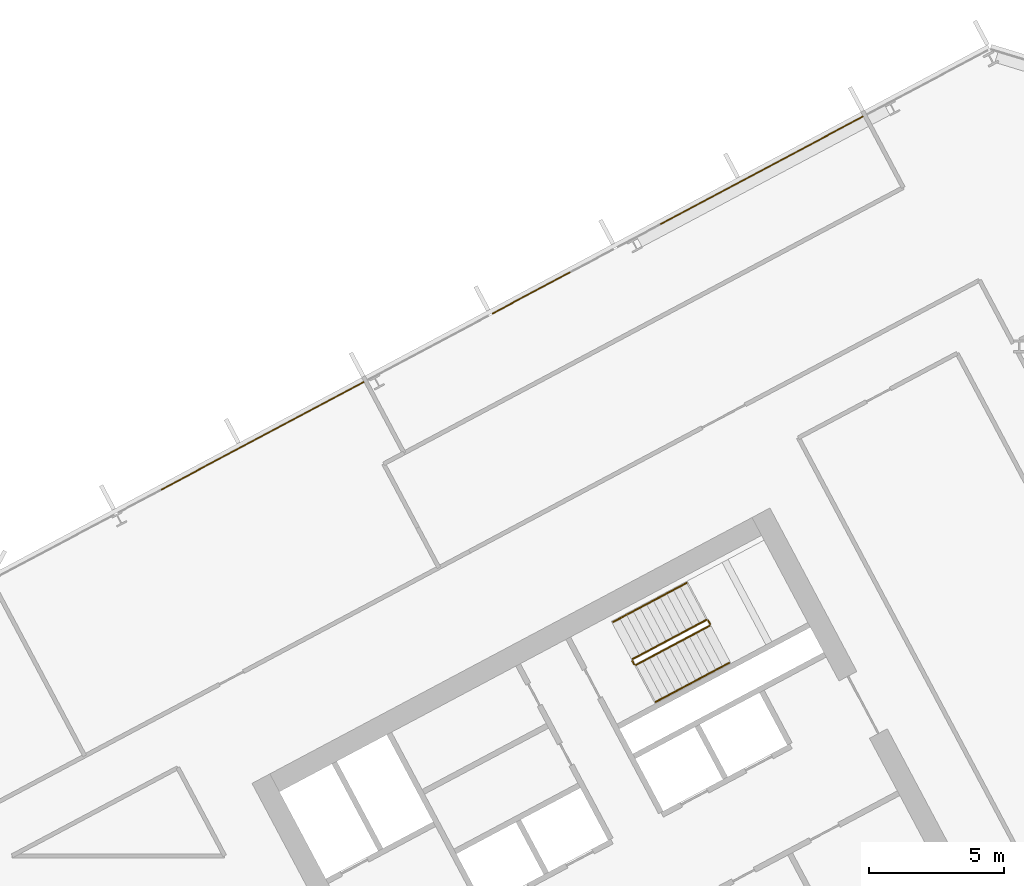
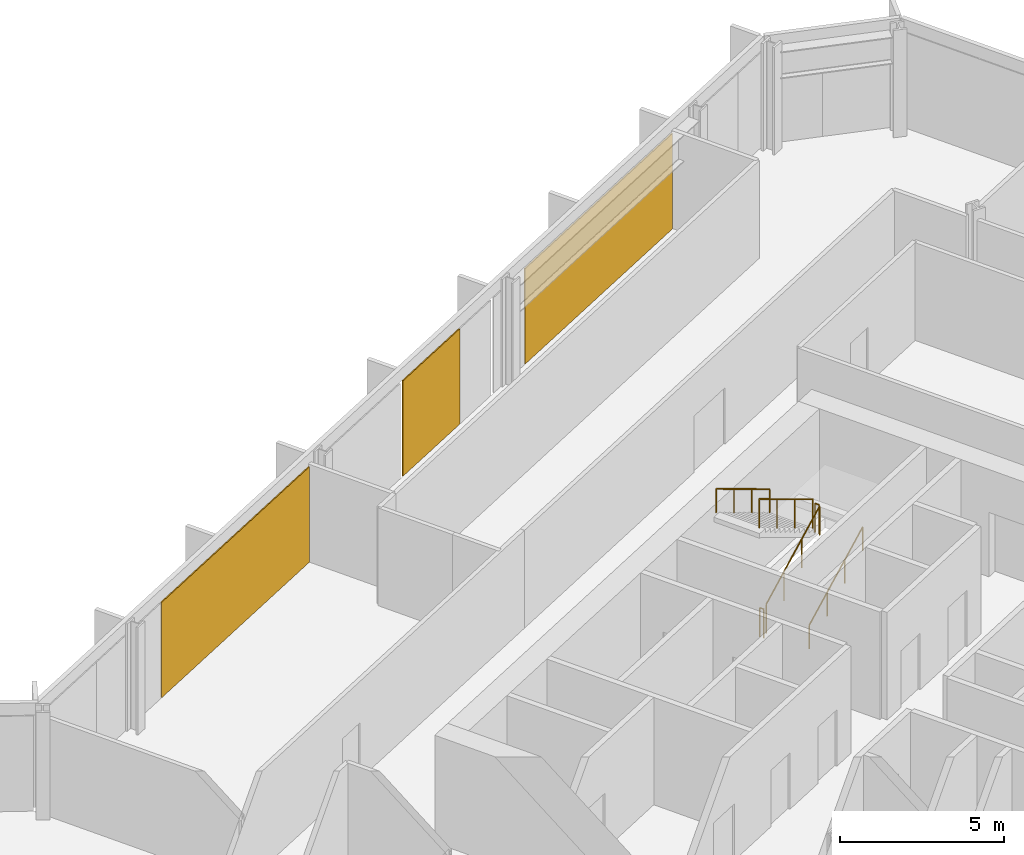
# One storey, part 27 of 28: 6 railings, 3 coverings, 1 element without a shape of its own.
"""IFC4 building model written with IfcOpenShell, lengths in metres."""

from ifc_helpers import new_model, si_unit, direction, frame, origin, origin_2d, place, context, subcontext, project, spatial, polyline, rectangle, outline, extrude, material, layer, layer_set, type_object, element, aggregate, save


model = new_model("IFC4")

# Units and contexts
model_context = context("Model", 3, precision=1e-05, world=origin(), true_north=direction((0.0, 1.0)))
body_context = subcontext(model_context, "Body", "Model", "MODEL_VIEW")
ifc_project = project(units=[si_unit("LENGTHUNIT", "METRE"), si_unit("AREAUNIT", "SQUARE_METRE"), si_unit("VOLUMEUNIT", "CUBIC_METRE"), si_unit("PLANEANGLEUNIT", "RADIAN"), si_unit("MASSUNIT", "GRAM", prefix="KILO")], contexts=[model_context])

# Site, building, storey
site_placement = place(None, origin())
site = spatial("IfcSite", under=ifc_project, at=site_placement, CompositionType="ELEMENT")
building_placement = place(site_placement, origin())
building = spatial("IfcBuilding", under=site, at=building_placement, Name="Cormorant Relay Tower", CompositionType="ELEMENT")
storey_placement = place(building_placement, frame((0.0, 0.0, 170.199951171875)))
storey = spatial("IfcBuildingStorey", under=building, at=storey_placement, Name="L36", CompositionType="ELEMENT", Elevation=170.199951171875)

# Curtain wall, coverings
ifc_material_1 = material(Name="Aluminium 6063-T6 anodised bronze", Category="aluminium")
ifc_layer_1 = layer(ifc_material_1, 0.199951171875)
ifc_layer_set_1 = layer_set([ifc_layer_1], Name="CW1 unitised bronze curtain wall with vertical fins")
curtain_wall_type = type_object("IfcCurtainWallType", Name="CW1 unitised bronze curtain wall with vertical fins", PredefinedType="NOTDEFINED", material=ifc_layer_set_1)
curtain_wall_placement = place(storey_placement, origin())
curtain_wall = element("IfcCurtainWall", 1, at=curtain_wall_placement, inside=storey, type_object=curtain_wall_type, Name="CW1 curtain wall 8", PredefinedType="NOTDEFINED")
ifc_material_2 = material(Name="Pale bronze anodised aluminium insulated panel", Category="aluminium")
ifc_layer_2 = layer(ifc_material_2, 0.0400390625)
ifc_layer_set_2 = layer_set([ifc_layer_2], Name="CW1 pale bronze insulated panel 40")
covering_type = type_object("IfcCoveringType", Name="CW1 pale bronze insulated panel 40", PredefinedType="CLADDING", material=ifc_layer_set_2)
covering_1_placement = place(storey_placement, frame((28.48828125, 38.9541015625, 0.0), z_axis=(0.0, 0.0, 1.0), x_axis=(-0.882947592859, -0.469471562786, 0.0)))
covering_1 = element("IfcCovering", 2, at=covering_1_placement, type_object=covering_type, Name="CW1 panel S02", PredefinedType="CLADDING", context=body_context, shape_type="SweptSolid", body=[
    extrude(rectangle(XDim=8.508544921875, YDim=0.0400390625, at=origin_2d()), origin(), (0.0, 0.0, 1.0), 3.550048828125),
])
covering_2_placement = place(storey_placement, frame((19.97314453125, 34.426513671875, 0.0), z_axis=(0.0, 0.0, 1.0), x_axis=(-0.882947592859, -0.469471562786, 0.0)))
covering_2 = element("IfcCovering", 3, at=covering_2_placement, type_object=covering_type, Name="CW1 panel S05", PredefinedType="CLADDING", context=body_context, shape_type="SweptSolid", body=[
    extrude(rectangle(XDim=3.279296875, YDim=0.0400390625, at=origin_2d()), origin(), (0.0, 0.0, 1.0), 3.550048828125),
])
covering_3_placement = place(storey_placement, frame((10.01953125, 29.134033203125, 0.0), z_axis=(0.0, 0.0, 1.0), x_axis=(-0.882947592859, -0.469471562786, 0.0)))
covering_3 = element("IfcCovering", 4, at=covering_3_placement, type_object=covering_type, Name="CW1 panel S07", PredefinedType="CLADDING", context=body_context, shape_type="SweptSolid", body=[
    extrude(rectangle(XDim=8.508544921875, YDim=0.0400390625, at=origin_2d()), origin(), (0.0, 0.0, 1.0), 3.550048828125),
])
aggregate(curtain_wall, [covering_1, covering_2, covering_3])

# Railings
ifc_material_3 = material(Name="Steel ASTM A572 Grade 50 (Fy 345 MPa)", Category="steel")
railing_type_1 = type_object("IfcRailingType", Name="Stair guard 1100", PredefinedType="GUARDRAIL", material=ifc_material_3)
railing_1_placement = place(storey_placement, frame((23.8408203125, 20.6611328125, 0.166748046875)))
element("IfcRailing", 5, at=railing_1_placement, inside=storey, type_object=railing_type_1, Name="L36 B2 stair guard 1", PredefinedType="GUARDRAIL", context=body_context, shape_type="SweptSolid", body=[
    extrude(outline(polyline([(0.022216796875, 0.00927734375), (0.00927734375, 0.022216796875), (-0.00927734375, 0.022216796875), (-0.022216796875, 0.00927734375), (-0.022216796875, -0.00927734375), (-0.00927734375, -0.022216796875), (0.00927734375, -0.022216796875), (0.022216796875, -0.00927734375), (0.022216796875, 0.00927734375)])), frame((0.0, 0.0, 1.076171875), z_axis=(0.758734504837, 0.403377838015, 0.511476559549), x_axis=(-0.469427602063, 0.882970965786, 0.0)), (0.0, 0.0, 1.0), 3.584228515625),
    extrude(outline(polyline([(0.019287109375, 0.008056640625), (0.008056640625, 0.019287109375), (-0.008056640625, 0.019287109375), (-0.019287109375, 0.008056640625), (-0.019287109375, -0.008056640625), (-0.008056640625, -0.019287109375), (0.008056640625, -0.019287109375), (0.019287109375, -0.008056640625), (0.019287109375, 0.008056640625)])), origin(), (0.0, 0.0, 1.0), 1.052001953125),
    extrude(outline(polyline([(0.019287109375, 0.008056640625), (0.008056640625, 0.019287109375), (-0.008056640625, 0.019287109375), (-0.019287109375, 0.008056640625), (-0.019287109375, -0.008056640625), (-0.008056640625, -0.019287109375), (0.008056640625, -0.019287109375), (0.019287109375, -0.008056640625), (0.019287109375, 0.008056640625)])), frame((0.906494140625, 0.48193359375, 0.611083984375)), (0.0, 0.0, 1.0), 1.052001953125),
    extrude(outline(polyline([(0.019287109375, 0.008056640625), (0.008056640625, 0.019287109375), (-0.008056640625, 0.019287109375), (-0.019287109375, 0.008056640625), (-0.019287109375, -0.008056640625), (-0.008056640625, -0.019287109375), (0.008056640625, -0.019287109375), (0.019287109375, -0.008056640625), (0.019287109375, 0.008056640625)])), frame((1.81298828125, 0.9638671875, 1.22216796875)), (0.0, 0.0, 1.0), 1.052001953125),
    extrude(outline(polyline([(0.019287109375, 0.008056640625), (0.008056640625, 0.019287109375), (-0.008056640625, 0.019287109375), (-0.019287109375, 0.008056640625), (-0.019287109375, -0.008056640625), (-0.008056640625, -0.019287109375), (0.008056640625, -0.019287109375), (0.019287109375, -0.008056640625), (0.019287109375, 0.008056640625)])), frame((2.719482421875, 1.44580078125, 1.833251953125)), (0.0, 0.0, 1.0), 1.052001953125),
])
railing_2_placement = place(storey_placement, frame((26.5810546875, 22.174560546875, 2.0)))
element("IfcRailing", 6, at=railing_2_placement, inside=storey, type_object=railing_type_1, Name="L36 B2 stair guard 2", PredefinedType="GUARDRAIL", context=body_context, shape_type="SweptSolid", body=[
    extrude(outline(polyline([(0.022216796875, 0.00927734375), (0.00927734375, 0.022216796875), (-0.00927734375, 0.022216796875), (-0.022216796875, 0.00927734375), (-0.022216796875, -0.00927734375), (-0.00927734375, -0.022216796875), (0.00927734375, -0.022216796875), (0.022216796875, -0.00927734375), (0.022216796875, 0.00927734375)])), frame((0.0, 0.0, 1.076171875), z_axis=(-0.469828648786, 0.882757634224, 0.0), x_axis=(-0.882757634224, -0.469828648786, 0.0)), (0.0, 0.0, 1.0), 0.150146484375),
    extrude(outline(polyline([(0.019287109375, 0.008056640625), (0.008056640625, 0.019287109375), (-0.008056640625, 0.019287109375), (-0.019287109375, 0.008056640625), (-0.019287109375, -0.008056640625), (-0.008056640625, -0.019287109375), (0.008056640625, -0.019287109375), (0.019287109375, -0.008056640625), (0.019287109375, 0.008056640625)])), origin(), (0.0, 0.0, 1.0), 1.052001953125),
    extrude(outline(polyline([(0.019287109375, 0.008056640625), (0.008056640625, 0.019287109375), (-0.008056640625, 0.019287109375), (-0.019287109375, 0.008056640625), (-0.019287109375, -0.008056640625), (-0.008056640625, -0.019287109375), (0.008056640625, -0.019287109375), (0.019287109375, -0.008056640625), (0.019287109375, 0.008056640625)])), frame((-0.070556640625, 0.132568359375, 0.0)), (0.0, 0.0, 1.0), 1.052001953125),
])
railing_3_placement = place(storey_placement, frame((26.44287109375, 22.32763671875, 2.166748046875)))
element("IfcRailing", 7, at=railing_3_placement, inside=storey, type_object=railing_type_1, Name="L36 B2 stair guard 3", PredefinedType="GUARDRAIL", context=body_context, shape_type="SweptSolid", body=[
    extrude(outline(polyline([(0.022216796875, 0.00927734375), (0.00927734375, 0.022216796875), (-0.00927734375, 0.022216796875), (-0.022216796875, 0.00927734375), (-0.022216796875, -0.00927734375), (-0.00927734375, -0.022216796875), (0.00927734375, -0.022216796875), (0.022216796875, -0.00927734375), (0.022216796875, 0.00927734375)])), frame((0.0, 0.0, 1.076171875), z_axis=(-0.758734504837, -0.403377838015, 0.511476559549), x_axis=(0.469427602063, -0.882970965786, 0.0)), (0.0, 0.0, 1.0), 3.584228515625),
    extrude(outline(polyline([(0.019287109375, 0.008056640625), (0.008056640625, 0.019287109375), (-0.008056640625, 0.019287109375), (-0.019287109375, 0.008056640625), (-0.019287109375, -0.008056640625), (-0.008056640625, -0.019287109375), (0.008056640625, -0.019287109375), (0.019287109375, -0.008056640625), (0.019287109375, 0.008056640625)])), origin(), (0.0, 0.0, 1.0), 1.052001953125),
    extrude(outline(polyline([(0.019287109375, 0.008056640625), (0.008056640625, 0.019287109375), (-0.008056640625, 0.019287109375), (-0.019287109375, 0.008056640625), (-0.019287109375, -0.008056640625), (-0.008056640625, -0.019287109375), (0.008056640625, -0.019287109375), (0.019287109375, -0.008056640625), (0.019287109375, 0.008056640625)])), frame((-0.906494140625, -0.48193359375, 0.611083984375)), (0.0, 0.0, 1.0), 1.052001953125),
    extrude(outline(polyline([(0.019287109375, 0.008056640625), (0.008056640625, 0.019287109375), (-0.008056640625, 0.019287109375), (-0.019287109375, 0.008056640625), (-0.019287109375, -0.008056640625), (-0.008056640625, -0.019287109375), (0.008056640625, -0.019287109375), (0.019287109375, -0.008056640625), (0.019287109375, 0.008056640625)])), frame((-1.81298828125, -0.9638671875, 1.22216796875)), (0.0, 0.0, 1.0), 1.052001953125),
    extrude(outline(polyline([(0.019287109375, 0.008056640625), (0.008056640625, 0.019287109375), (-0.008056640625, 0.019287109375), (-0.019287109375, 0.008056640625), (-0.019287109375, -0.008056640625), (-0.008056640625, -0.019287109375), (0.008056640625, -0.019287109375), (0.019287109375, -0.008056640625), (0.019287109375, 0.008056640625)])), frame((-2.719482421875, -1.44580078125, 1.833251953125)), (0.0, 0.0, 1.0), 1.052001953125),
])
railing_4_placement = place(storey_placement, frame((23.773193359375, 20.681640625, 0.0)))
element("IfcRailing", 8, at=railing_4_placement, inside=storey, type_object=railing_type_1, Name="L36 B2 stair guard 4", PredefinedType="GUARDRAIL", context=body_context, shape_type="SweptSolid", body=[
    extrude(outline(polyline([(0.022216796875, 0.00927734375), (0.00927734375, 0.022216796875), (-0.00927734375, 0.022216796875), (-0.022216796875, 0.00927734375), (-0.022216796875, -0.00927734375), (-0.00927734375, -0.022216796875), (0.00927734375, -0.022216796875), (0.022216796875, -0.00927734375), (0.022216796875, 0.00927734375)])), frame((0.0, 0.0, 1.076171875), z_axis=(-0.46856034887, 0.8834314911, 0.0), x_axis=(-0.8834314911, -0.46856034887, 0.0)), (0.0, 0.0, 1.0), 0.150146484375),
    extrude(outline(polyline([(0.019287109375, 0.008056640625), (0.008056640625, 0.019287109375), (-0.008056640625, 0.019287109375), (-0.019287109375, 0.008056640625), (-0.019287109375, -0.008056640625), (-0.008056640625, -0.019287109375), (0.008056640625, -0.019287109375), (0.019287109375, -0.008056640625), (0.019287109375, 0.008056640625)])), origin(), (0.0, 0.0, 1.0), 1.052001953125),
    extrude(outline(polyline([(0.019287109375, 0.008056640625), (0.008056640625, 0.019287109375), (-0.008056640625, 0.019287109375), (-0.019287109375, 0.008056640625), (-0.019287109375, -0.008056640625), (-0.008056640625, -0.019287109375), (0.008056640625, -0.019287109375), (0.019287109375, -0.008056640625), (0.019287109375, 0.008056640625)])), frame((-0.0703125, 0.132568359375, 0.0)), (0.0, 0.0, 1.0), 1.052001953125),
])
ifc_material_4 = material(Name="Steel ASTM A572 Grade 50 (Fy 345 MPa)", Category="steel")
railing_type_2 = type_object("IfcRailingType", Name="Stair handrail 900", PredefinedType="HANDRAIL", material=ifc_material_4)
railing_5_placement = place(storey_placement, frame((24.568603515625, 19.29248046875, 0.166748046875)))
element("IfcRailing", 9, at=railing_5_placement, inside=storey, type_object=railing_type_2, Name="L36 B2 stair handrail 1", PredefinedType="HANDRAIL", context=body_context, shape_type="SweptSolid", body=[
    extrude(outline(polyline([(0.022216796875, 0.00927734375), (0.00927734375, 0.022216796875), (-0.00927734375, 0.022216796875), (-0.022216796875, 0.00927734375), (-0.022216796875, -0.00927734375), (-0.00927734375, -0.022216796875), (0.00927734375, -0.022216796875), (0.022216796875, -0.00927734375), (0.022216796875, 0.00927734375)])), frame((0.0, 0.0, 0.8759765625), z_axis=(0.758713656843, 0.403434867536, 0.511462505542), x_axis=(-0.469489399267, 0.882938108802, 0.0)), (0.0, 0.0, 1.0), 3.584228515625),
    extrude(outline(polyline([(0.019287109375, 0.008056640625), (0.008056640625, 0.019287109375), (-0.008056640625, 0.019287109375), (-0.019287109375, 0.008056640625), (-0.019287109375, -0.008056640625), (-0.008056640625, -0.019287109375), (0.008056640625, -0.019287109375), (0.019287109375, -0.008056640625), (0.019287109375, 0.008056640625)])), origin(), (0.0, 0.0, 1.0), 0.851806640625),
    extrude(outline(polyline([(0.019287109375, 0.008056640625), (0.008056640625, 0.019287109375), (-0.008056640625, 0.019287109375), (-0.019287109375, 0.008056640625), (-0.019287109375, -0.008056640625), (-0.008056640625, -0.019287109375), (0.008056640625, -0.019287109375), (0.019287109375, -0.008056640625), (0.019287109375, 0.008056640625)])), frame((0.906494140625, 0.48193359375, 0.611083984375)), (0.0, 0.0, 1.0), 0.851806640625),
    extrude(outline(polyline([(0.019287109375, 0.008056640625), (0.008056640625, 0.019287109375), (-0.008056640625, 0.019287109375), (-0.019287109375, 0.008056640625), (-0.019287109375, -0.008056640625), (-0.008056640625, -0.019287109375), (0.008056640625, -0.019287109375), (0.019287109375, -0.008056640625), (0.019287109375, 0.008056640625)])), frame((1.81298828125, 0.964111328125, 1.22216796875)), (0.0, 0.0, 1.0), 0.851806640625),
    extrude(outline(polyline([(0.019287109375, 0.008056640625), (0.008056640625, 0.019287109375), (-0.008056640625, 0.019287109375), (-0.019287109375, 0.008056640625), (-0.019287109375, -0.008056640625), (-0.008056640625, -0.019287109375), (0.008056640625, -0.019287109375), (0.019287109375, -0.008056640625), (0.019287109375, 0.008056640625)])), frame((2.719482421875, 1.446044921875, 1.833251953125)), (0.0, 0.0, 1.0), 0.851806640625),
])
railing_6_placement = place(storey_placement, frame((25.71533203125, 23.6962890625, 2.166748046875)))
element("IfcRailing", 10, at=railing_6_placement, inside=storey, type_object=railing_type_2, Name="L36 B2 stair handrail 2", PredefinedType="HANDRAIL", context=body_context, shape_type="SweptSolid", body=[
    extrude(outline(polyline([(0.022216796875, 0.00927734375), (0.00927734375, 0.022216796875), (-0.00927734375, 0.022216796875), (-0.022216796875, 0.00927734375), (-0.022216796875, -0.00927734375), (-0.00927734375, -0.022216796875), (0.00927734375, -0.022216796875), (0.022216796875, -0.00927734375), (0.022216796875, 0.00927734375)])), frame((0.0, 0.0, 0.8759765625), z_axis=(-0.758713656843, -0.403434867536, 0.511462505542), x_axis=(0.469489399267, -0.882938108802, 0.0)), (0.0, 0.0, 1.0), 3.584228515625),
    extrude(outline(polyline([(0.019287109375, 0.008056640625), (0.008056640625, 0.019287109375), (-0.008056640625, 0.019287109375), (-0.019287109375, 0.008056640625), (-0.019287109375, -0.008056640625), (-0.008056640625, -0.019287109375), (0.008056640625, -0.019287109375), (0.019287109375, -0.008056640625), (0.019287109375, 0.008056640625)])), origin(), (0.0, 0.0, 1.0), 0.851806640625),
    extrude(outline(polyline([(0.019287109375, 0.008056640625), (0.008056640625, 0.019287109375), (-0.008056640625, 0.019287109375), (-0.019287109375, 0.008056640625), (-0.019287109375, -0.008056640625), (-0.008056640625, -0.019287109375), (0.008056640625, -0.019287109375), (0.019287109375, -0.008056640625), (0.019287109375, 0.008056640625)])), frame((-0.906494140625, -0.48193359375, 0.611083984375)), (0.0, 0.0, 1.0), 0.851806640625),
    extrude(outline(polyline([(0.019287109375, 0.008056640625), (0.008056640625, 0.019287109375), (-0.008056640625, 0.019287109375), (-0.019287109375, 0.008056640625), (-0.019287109375, -0.008056640625), (-0.008056640625, -0.019287109375), (0.008056640625, -0.019287109375), (0.019287109375, -0.008056640625), (0.019287109375, 0.008056640625)])), frame((-1.81298828125, -0.964111328125, 1.22216796875)), (0.0, 0.0, 1.0), 0.851806640625),
    extrude(outline(polyline([(0.019287109375, 0.008056640625), (0.008056640625, 0.019287109375), (-0.008056640625, 0.019287109375), (-0.019287109375, 0.008056640625), (-0.019287109375, -0.008056640625), (-0.008056640625, -0.019287109375), (0.008056640625, -0.019287109375), (0.019287109375, -0.008056640625), (0.019287109375, 0.008056640625)])), frame((-2.719482421875, -1.446044921875, 1.833251953125)), (0.0, 0.0, 1.0), 0.851806640625),
])

save(model, "model.ifc")
